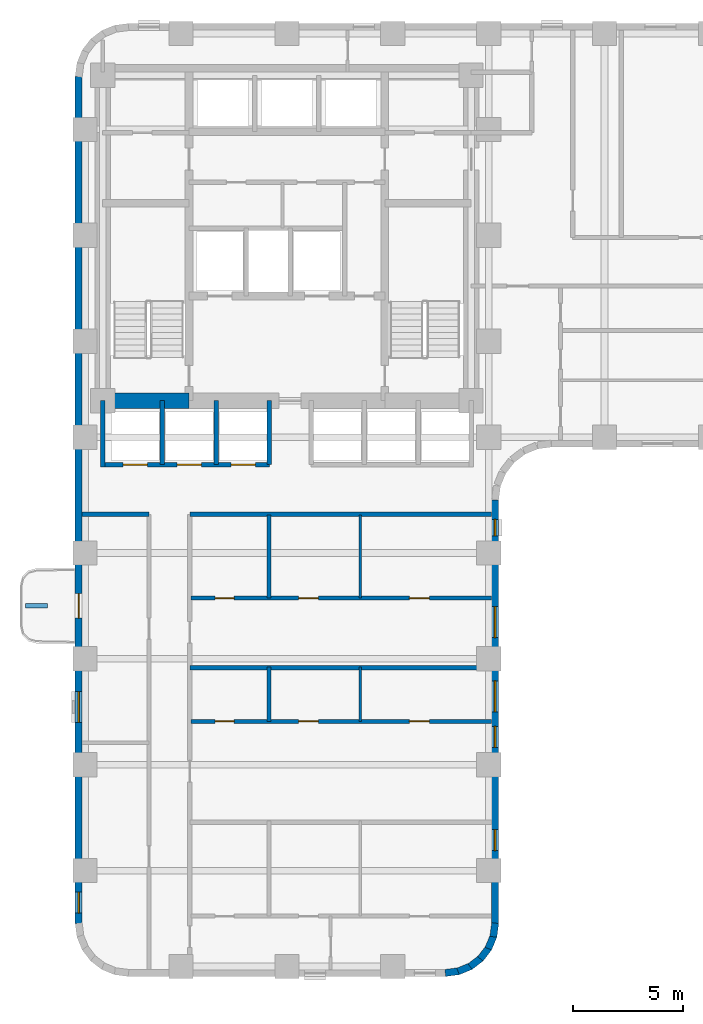
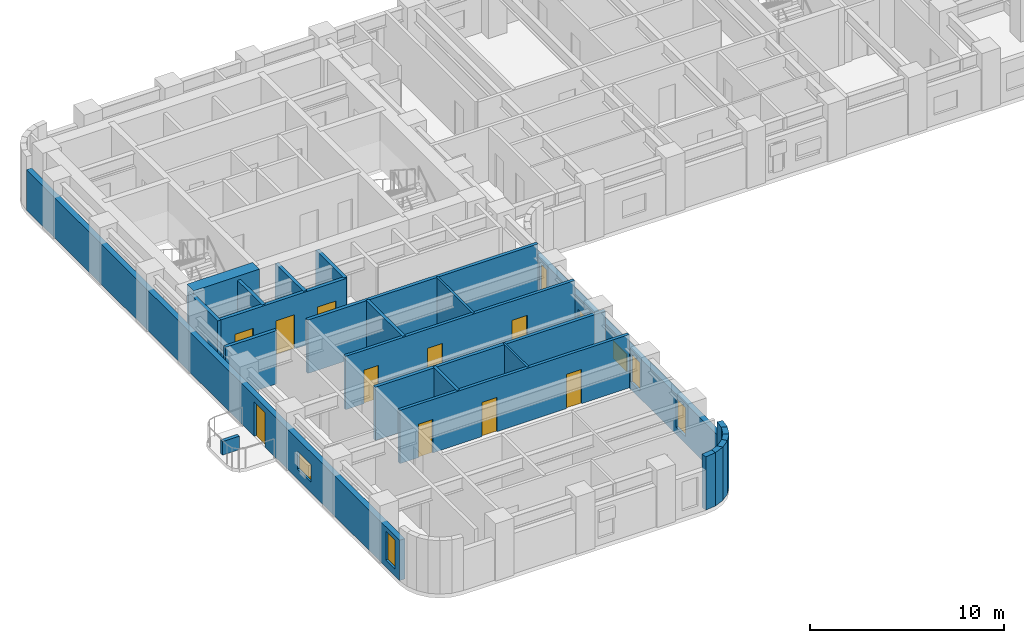
# One storey, part 3 of 10: 24 walls, 10 doors, 7 windows, 17 openings.
"""IFC4 building model written with IfcOpenShell, lengths in metres."""

from ifc_helpers import new_model, si_unit, direction, frame, frame_2d, origin, place, context, subcontext, project, spatial, rectangle, extrude, material, layer, layer_set, type_object, element, fill, save


model = new_model("IFC4")

# Units and contexts
model_context = context("Model", 3, precision=1e-05, world=origin(), true_north=direction((0.0, 1.0)))
body_context = subcontext(model_context, "Body", "Model", "MODEL_VIEW")
ifc_project = project(units=[si_unit("LENGTHUNIT", "METRE"), si_unit("AREAUNIT", "SQUARE_METRE"), si_unit("VOLUMEUNIT", "CUBIC_METRE"), si_unit("PLANEANGLEUNIT", "RADIAN"), si_unit("MASSUNIT", "GRAM", prefix="KILO")], contexts=[model_context])

# Site, building, storey
site_placement = place(None, origin())
site = spatial("IfcSite", under=ifc_project, at=site_placement, CompositionType="ELEMENT")
building_placement = place(site_placement, origin())
building = spatial("IfcBuilding", under=site, at=building_placement, Name="Orvandelia Arch Residences", CompositionType="ELEMENT")
storey_placement = place(building_placement, frame((0.0, 0.0, 68.199951171875)))
storey = spatial("IfcBuildingStorey", under=building, at=storey_placement, Name="L17", CompositionType="ELEMENT", Elevation=68.199951171875)

# Walls
ifc_material_1 = material(Name="Concrete C80/95", Category="concrete")
ifc_layer_1 = layer(ifc_material_1, 0.699951171875, Name="Concrete C80/95", Category="concrete")
ifc_layer_set_1 = layer_set([ifc_layer_1], Name="Concrete C80/95")
wall_type_1 = type_object("IfcWallType", Name="WL-CORE-700", PredefinedType="SHEAR", material=ifc_layer_set_1)
wall_1_placement = place(storey_placement, frame((6.050048828125, 30.89990234375, 0.0), z_axis=(0.0, 0.0, 1.0), x_axis=(1.0, 0.0, 0.0)))
element("IfcWall", 1, at=wall_1_placement, inside=storey, type_object=wall_type_1, Name="Core Shear Wall L17-SW", PredefinedType="SHEAR", context=body_context, shape_type="SweptSolid", body=[
    extrude(rectangle(XDim=3.909912109375, YDim=0.699951171875, at=frame_2d((1.955078125, 0.0))), origin(), (0.0, 0.0, 1.0), 3.60009765625),
])
ifc_material_2 = material(Name="Fire-Rated Corridor Partition")
ifc_layer_2 = layer(ifc_material_2, 0.199951171875, Name="Fire-Rated Corridor Partition")
ifc_layer_set_2 = layer_set([ifc_layer_2], Name="Fire-Rated Corridor Partition")
wall_type_2 = type_object("IfcWallType", Name="WL-CORR-200", PredefinedType="PARTITIONING", material=ifc_layer_set_2)
wall_2_placement = place(storey_placement, frame((5.1201171875, 25.75, 0.0), z_axis=(0.0, 0.0, 1.0), x_axis=(1.0, 0.0, 0.0)))
element("IfcWall", 2, at=wall_2_placement, inside=storey, type_object=wall_type_2, Name="Interior Partition Wall WL-L17-WCLS-W", PredefinedType="PARTITIONING", context=body_context, shape_type="SweptSolid", body=[
    extrude(rectangle(XDim=3.02978515625, YDim=0.199951171875, at=frame_2d((1.514892578125, 0.0))), origin(), (0.0, 0.0, 1.0), 3.35009765625),
])
wall_3_placement = place(storey_placement, frame((10.0, 25.75, 0.0), z_axis=(0.0, 0.0, 1.0), x_axis=(1.0, 0.0, 0.0)))
element("IfcWall", 3, at=wall_3_placement, inside=storey, type_object=wall_type_2, Name="Interior Partition Wall WL-L17-WCLS-E", PredefinedType="PARTITIONING", context=body_context, shape_type="SweptSolid", body=[
    extrude(rectangle(XDim=13.679931640625, YDim=0.199951171875, at=frame_2d((6.83984375, 0.0))), origin(), (0.0, 0.0, 1.0), 3.35009765625),
])
ifc_material_3 = material(Name="Concrete C40/50", Category="concrete")
ifc_layer_3 = layer(ifc_material_3, 0.199951171875, Name="Concrete C40/50", Category="concrete")
ifc_layer_set_3 = layer_set([ifc_layer_3], Name="Concrete C40/50")
wall_type_3 = type_object("IfcWallType", Name="WL-DEM-200", PredefinedType="SOLIDWALL", material=ifc_layer_set_3)
wall_4_placement = place(storey_placement, frame((10.0, 18.800048828125, 0.0), z_axis=(0.0, 0.0, 1.0), x_axis=(1.0, 0.0, 0.0)))
element("IfcWall", 4, at=wall_4_placement, inside=storey, type_object=wall_type_3, Name="Interior Partition Wall WL-L17-DEM-WR-188", PredefinedType="SOLIDWALL", context=body_context, shape_type="SweptSolid", body=[
    extrude(rectangle(XDim=13.679931640625, YDim=0.199951171875, at=frame_2d((6.83984375, 0.0))), origin(), (0.0, 0.0, 1.0), 3.35009765625),
])

# Wall, openings, windows
ifc_material_4 = material(Name="Precast concrete C40/50", Category="concrete")
ifc_layer_4 = layer(ifc_material_4, 0.320068359375, Name="Precast concrete C40/50", Category="concrete")
ifc_layer_set_4 = layer_set([ifc_layer_4], Name="Precast concrete C40/50")
wall_type_4 = type_object("IfcWallType", Name="WL-EXT-STONE-320", PredefinedType="STANDARD", material=ifc_layer_set_4)
wall_5_placement = place(storey_placement, frame((23.840087890625, 26.39990234375, 0.0), z_axis=(0.0, 0.0, 1.0), x_axis=(0.0, -1.0, 0.0)))
wall_5 = element("IfcWall", 5, at=wall_5_placement, inside=storey, type_object=wall_type_4, Name="Coral-Limestone Precast Facade Wall L17-028", PredefinedType="STANDARD", context=body_context, shape_type="SweptSolid", body=[
    extrude(rectangle(XDim=19.199951171875, YDim=0.320068359375, at=frame_2d((9.60009765625, 0.0))), origin(), (0.0, 0.0, 1.0), 2.530029296875),
])
opening_1_placement = place(wall_5_placement, frame((14.93994140625, 0.0, 0.449951171875)))
opening_1 = element("IfcOpeningElement", 6, at=opening_1_placement, cuts=wall_5, Name="Opening W4", PredefinedType="OPENING", context=body_context, shape_type="SweptSolid", body=[
    extrude(rectangle(XDim=0.949951171875, YDim=1.800048828125, at=frame_2d((0.47509765625, 0.89990234375))), frame((0.0, 0.169921875, 0.0), z_axis=(0.0, -1.0, 0.0), x_axis=(1.0, 0.0, 0.0)), (0.0, 0.0, 1.0), 0.340087890625),
])
opening_2_placement = place(wall_5_placement, frame((8.2041015625, 0.0, 0.64990234375)))
opening_2 = element("IfcOpeningElement", 7, at=opening_2_placement, cuts=wall_5, Name="Opening W10", PredefinedType="OPENING", context=body_context, shape_type="SweptSolid", body=[
    extrude(rectangle(XDim=1.39990234375, YDim=1.10009765625, at=frame_2d((0.699951171875, 0.550048828125))), frame((0.0, 0.169921875, 0.0), z_axis=(0.0, -1.0, 0.0), x_axis=(1.0, 0.0, 0.0)), (0.0, 0.0, 1.0), 0.340087890625),
])
opening_3_placement = place(wall_5_placement, frame((0.8798828125, 0.0, 0.449951171875)))
opening_3 = element("IfcOpeningElement", 8, at=opening_3_placement, cuts=wall_5, Name="Opening W11", PredefinedType="OPENING", context=body_context, shape_type="SweptSolid", body=[
    extrude(rectangle(XDim=0.75, YDim=1.800048828125, at=frame_2d((0.375, 0.89990234375))), frame((0.0, 0.169921875, 0.0), z_axis=(0.0, -1.0, 0.0), x_axis=(1.0, 0.0, 0.0)), (0.0, 0.0, 1.0), 0.340087890625),
])
opening_4_placement = place(wall_5_placement, frame((10.259033203125, 0.0, 0.449951171875)))
opening_4 = element("IfcOpeningElement", 9, at=opening_4_placement, cuts=wall_5, Name="Opening W4", PredefinedType="OPENING", context=body_context, shape_type="SweptSolid", body=[
    extrude(rectangle(XDim=0.949951171875, YDim=1.800048828125, at=frame_2d((0.47509765625, 0.89990234375))), frame((0.0, 0.169921875, 0.0), z_axis=(0.0, -1.0, 0.0), x_axis=(1.0, 0.0, 0.0)), (0.0, 0.0, 1.0), 0.340087890625),
])
opening_5_placement = place(wall_5_placement, frame((4.837890625, 0.0, 0.64990234375)))
opening_5 = element("IfcOpeningElement", 10, at=opening_5_placement, cuts=wall_5, Name="Opening W10", PredefinedType="OPENING", context=body_context, shape_type="SweptSolid", body=[
    extrude(rectangle(XDim=1.39990234375, YDim=1.10009765625, at=frame_2d((0.699951171875, 0.550048828125))), frame((0.0, 0.169921875, 0.0), z_axis=(0.0, -1.0, 0.0), x_axis=(1.0, 0.0, 0.0)), (0.0, 0.0, 1.0), 0.340087890625),
])
ifc_material_5 = material(Name="Tempered Low-E Insulated Glazing", Category="glass")
window_type_1 = type_object("IfcWindowType", Name="WIN-BED-0750x1800", PartitioningType="SINGLE_PANEL", PredefinedType="WINDOW", material=ifc_material_5)
window_1_placement = place(opening_3_placement, origin())
window_1 = element("IfcWindow", 11, at=window_1_placement, inside=storey, type_object=window_type_1, Name="Recessed Punched Window L17-021", OverallHeight=1.800048828125, OverallWidth=0.75, PartitioningType="SINGLE_PANEL", PredefinedType="WINDOW", context=body_context, shape_type="SweptSolid", body=[
    extrude(rectangle(XDim=0.75, YDim=1.800048828125, at=frame_2d((0.375, 0.89990234375))), frame((0.0, 0.030029296875, 0.0), z_axis=(0.0, -1.0, 0.0), x_axis=(1.0, 0.0, 0.0)), (0.0, 0.0, 1.0), 0.06005859375),
])
fill(opening_3, window_1)
window_type_2 = type_object("IfcWindowType", Name="WIN-CLR-1400x1100", PartitioningType="SINGLE_PANEL", PredefinedType="WINDOW", material=ifc_material_5)
window_2_placement = place(opening_2_placement, origin())
window_2 = element("IfcWindow", 12, at=window_2_placement, inside=storey, type_object=window_type_2, Name="Recessed Punched Window L17-020", OverallHeight=1.10009765625, OverallWidth=1.39990234375, PartitioningType="SINGLE_PANEL", PredefinedType="WINDOW", context=body_context, shape_type="SweptSolid", body=[
    extrude(rectangle(XDim=1.39990234375, YDim=1.10009765625, at=frame_2d((0.699951171875, 0.550048828125))), frame((0.0, 0.030029296875, 0.0), z_axis=(0.0, -1.0, 0.0), x_axis=(1.0, 0.0, 0.0)), (0.0, 0.0, 1.0), 0.06005859375),
])
fill(opening_2, window_2)
window_3_placement = place(opening_5_placement, origin())
window_3 = element("IfcWindow", 13, at=window_3_placement, inside=storey, type_object=window_type_2, Name="Recessed Punched Window L17-023", OverallHeight=1.10009765625, OverallWidth=1.39990234375, PartitioningType="SINGLE_PANEL", PredefinedType="WINDOW", context=body_context, shape_type="SweptSolid", body=[
    extrude(rectangle(XDim=1.39990234375, YDim=1.10009765625, at=frame_2d((0.699951171875, 0.550048828125))), frame((0.0, 0.030029296875, 0.0), z_axis=(0.0, -1.0, 0.0), x_axis=(1.0, 0.0, 0.0)), (0.0, 0.0, 1.0), 0.06005859375),
])
fill(opening_5, window_3)
window_type_3 = type_object("IfcWindowType", Name="WIN-RES-0950x1800", PartitioningType="SINGLE_PANEL", PredefinedType="WINDOW", material=ifc_material_5)
window_4_placement = place(opening_1_placement, origin())
window_4 = element("IfcWindow", 14, at=window_4_placement, inside=storey, type_object=window_type_3, Name="Recessed Punched Window L17-019", OverallHeight=1.800048828125, OverallWidth=0.949951171875, PartitioningType="SINGLE_PANEL", PredefinedType="WINDOW", context=body_context, shape_type="SweptSolid", body=[
    extrude(rectangle(XDim=0.949951171875, YDim=1.800048828125, at=frame_2d((0.47509765625, 0.89990234375))), frame((0.0, 0.030029296875, 0.0), z_axis=(0.0, -1.0, 0.0), x_axis=(1.0, 0.0, 0.0)), (0.0, 0.0, 1.0), 0.06005859375),
])
fill(opening_1, window_4)
window_5_placement = place(opening_4_placement, origin())
window_5 = element("IfcWindow", 15, at=window_5_placement, inside=storey, type_object=window_type_3, Name="Recessed Punched Window L17-022", OverallHeight=1.800048828125, OverallWidth=0.949951171875, PartitioningType="SINGLE_PANEL", PredefinedType="WINDOW", context=body_context, shape_type="SweptSolid", body=[
    extrude(rectangle(XDim=0.949951171875, YDim=1.800048828125, at=frame_2d((0.47509765625, 0.89990234375))), frame((0.0, 0.030029296875, 0.0), z_axis=(0.0, -1.0, 0.0), x_axis=(1.0, 0.0, 0.0)), (0.0, 0.0, 1.0), 0.06005859375),
])
fill(opening_4, window_5)

# Walls
wall_6_placement = place(storey_placement, frame((23.84130859375, 7.220947265625, 0.0), z_axis=(0.0, 0.0, 1.0), x_axis=(-0.130504898859, -0.991447664465, 0.0)))
element("IfcWall", 16, at=wall_6_placement, inside=storey, type_object=wall_type_4, Name="Coral-Limestone Precast Facade Wall L17-029", PredefinedType="STANDARD", context=body_context, shape_type="SweptSolid", body=[
    extrude(rectangle(XDim=0.626708984375, YDim=0.320068359375, at=frame_2d((0.3134765625, 0.0))), origin(), (0.0, 0.0, 1.0), 3.35009765625),
])
wall_7_placement = place(storey_placement, frame((23.7705078125, 6.639892578125, 0.0), z_axis=(0.0, 0.0, 1.0), x_axis=(-0.382787856107, -0.923836271867, 0.0)))
element("IfcWall", 17, at=wall_7_placement, inside=storey, type_object=wall_type_4, Name="Coral-Limestone Precast Facade Wall L17-030", PredefinedType="STANDARD", context=body_context, shape_type="SweptSolid", body=[
    extrude(rectangle(XDim=0.626220703125, YDim=0.320068359375, at=frame_2d((0.31298828125, 0.0))), origin(), (0.0, 0.0, 1.0), 3.35009765625),
])
wall_8_placement = place(storey_placement, frame((23.551513671875, 6.097412109375, 0.0), z_axis=(0.0, 0.0, 1.0), x_axis=(-0.608693302629, -0.793405610854, 0.0)))
element("IfcWall", 18, at=wall_8_placement, inside=storey, type_object=wall_type_4, Name="Coral-Limestone Precast Facade Wall L17-031", PredefinedType="STANDARD", context=body_context, shape_type="SweptSolid", body=[
    extrude(rectangle(XDim=0.62646484375, YDim=0.320068359375, at=frame_2d((0.313232421875, 0.0))), origin(), (0.0, 0.0, 1.0), 3.35009765625),
])
wall_9_placement = place(storey_placement, frame((23.19970703125, 5.6298828125, 0.0), z_axis=(0.0, 0.0, 1.0), x_axis=(-0.7932174212, -0.608938521285, 0.0)))
element("IfcWall", 19, at=wall_9_placement, inside=storey, type_object=wall_type_4, Name="Coral-Limestone Precast Facade Wall L17-032", PredefinedType="STANDARD", context=body_context, shape_type="SweptSolid", body=[
    extrude(rectangle(XDim=0.626708984375, YDim=0.320068359375, at=frame_2d((0.3134765625, 0.0))), origin(), (0.0, 0.0, 1.0), 3.35009765625),
])
for number, where, z_axis, x_axis, name in (
    (20, (22.73876953125, 5.269287109375, 0.0), (0.0, 0.0, 1.0), (-0.92389335771, -0.382650053678, 0.0), "Coral-Limestone Precast Facade Wall L17-033"),
    (21, (22.2001953125, 5.040283203125, 0.0), (0.0, 0.0, 1.0), (-0.9914410257, -0.130555323746, 0.0), "Coral-Limestone Precast Facade Wall L17-034"),
):
    element("IfcWall", number, at=place(storey_placement, frame(where, z_axis=z_axis, x_axis=x_axis)), inside=storey, type_object=wall_type_4, Name=name, PredefinedType="STANDARD", context=body_context, shape_type="SweptSolid", body=[
        extrude(rectangle(XDim=0.62646484375, YDim=0.320068359375, at=frame_2d((0.313232421875, 0.0))), origin(), (0.0, 0.0, 1.0), 3.35009765625),
    ])

# Wall, openings, door, windows
wall_10_placement = place(storey_placement, frame((4.9599609375, 7.199951171875, 0.0), z_axis=(0.0, 0.0, 1.0), x_axis=(0.0, 1.0, 0.0)))
wall_10 = element("IfcWall", 22, at=wall_10_placement, inside=storey, type_object=wall_type_4, Name="Coral-Limestone Precast Facade Wall L17-042", PredefinedType="STANDARD", context=body_context, shape_type="SweptSolid", body=[
    extrude(rectangle(XDim=38.400146484375, YDim=0.320068359375, at=frame_2d((19.2001953125, 0.0))), origin(), (0.0, 0.0, 1.0), 2.530029296875),
])
opening_6_placement = place(wall_10_placement, frame((13.85009765625, 0.0, 0.0)))
opening_6 = element("IfcOpeningElement", 23, at=opening_6_placement, cuts=wall_10, Name="Opening BD1", PredefinedType="OPENING", context=body_context, shape_type="SweptSolid", body=[
    extrude(rectangle(XDim=1.10009765625, YDim=2.14990234375, at=frame_2d((0.550048828125, 1.074951171875))), frame((0.0, 0.169921875, 0.0), z_axis=(0.0, -1.0, 0.0), x_axis=(1.0, 0.0, 0.0)), (0.0, 0.0, 1.0), 0.340087890625),
])
opening_7_placement = place(wall_10_placement, frame((0.469970703125, 0.0, 0.449951171875)))
opening_7 = element("IfcOpeningElement", 24, at=opening_7_placement, cuts=wall_10, Name="Opening W4", PredefinedType="OPENING", context=body_context, shape_type="SweptSolid", body=[
    extrude(rectangle(XDim=0.949951171875, YDim=1.800048828125, at=frame_2d((0.47509765625, 0.89990234375))), frame((0.0, 0.169921875, 0.0), z_axis=(0.0, -1.0, 0.0), x_axis=(1.0, 0.0, 0.0)), (0.0, 0.0, 1.0), 0.340087890625),
])
opening_8_placement = place(wall_10_placement, frame((9.114990234375, 0.0, 0.64990234375)))
opening_8 = element("IfcOpeningElement", 25, at=opening_8_placement, cuts=wall_10, Name="Opening W10", PredefinedType="OPENING", context=body_context, shape_type="SweptSolid", body=[
    extrude(rectangle(XDim=1.39990234375, YDim=1.10009765625, at=frame_2d((0.699951171875, 0.550048828125))), frame((0.0, 0.169921875, 0.0), z_axis=(0.0, -1.0, 0.0), x_axis=(1.0, 0.0, 0.0)), (0.0, 0.0, 1.0), 0.340087890625),
])
ifc_material_6 = material(Name="Thermally Broken Aluminium Glazed Door", Category="aluminium")
door_type_1 = type_object("IfcDoorType", Name="DR-BAL-GLAZ-1100", OperationType="NOTDEFINED", PredefinedType="DOOR", material=ifc_material_6)
door_1_placement = place(opening_6_placement, origin())
door_1 = element("IfcDoor", 26, at=door_1_placement, inside=storey, type_object=door_type_1, Name="Tree Balcony Glazed Door BAL-L17-W1", OperationType="SINGLE_SWING_RIGHT", OverallHeight=2.14990234375, OverallWidth=1.10009765625, PredefinedType="DOOR", context=body_context, shape_type="SweptSolid", body=[
    extrude(rectangle(XDim=1.10009765625, YDim=2.14990234375, at=frame_2d((0.550048828125, 1.074951171875))), frame((0.0, 0.02490234375, 0.0), z_axis=(0.0, -1.0, 0.0), x_axis=(1.0, 0.0, 0.0)), (0.0, 0.0, 1.0), 0.050048828125),
])
fill(opening_6, door_1)
window_6_placement = place(opening_8_placement, origin())
window_6 = element("IfcWindow", 27, at=window_6_placement, inside=storey, type_object=window_type_2, Name="Recessed Punched Window L17-027", OverallHeight=1.10009765625, OverallWidth=1.39990234375, PartitioningType="SINGLE_PANEL", PredefinedType="WINDOW", context=body_context, shape_type="SweptSolid", body=[
    extrude(rectangle(XDim=1.39990234375, YDim=1.10009765625, at=frame_2d((0.699951171875, 0.550048828125))), frame((0.0, 0.030029296875, 0.0), z_axis=(0.0, -1.0, 0.0), x_axis=(1.0, 0.0, 0.0)), (0.0, 0.0, 1.0), 0.06005859375),
])
fill(opening_8, window_6)
window_7_placement = place(opening_7_placement, origin())
window_7 = element("IfcWindow", 28, at=window_7_placement, inside=storey, type_object=window_type_3, Name="Recessed Punched Window L17-026", OverallHeight=1.800048828125, OverallWidth=0.949951171875, PartitioningType="SINGLE_PANEL", PredefinedType="WINDOW", context=body_context, shape_type="SweptSolid", body=[
    extrude(rectangle(XDim=0.949951171875, YDim=1.800048828125, at=frame_2d((0.47509765625, 0.89990234375))), frame((0.0, 0.030029296875, 0.0), z_axis=(0.0, -1.0, 0.0), x_axis=(1.0, 0.0, 0.0)), (0.0, 0.0, 1.0), 0.06005859375),
])
fill(opening_7, window_7)

# Walls
ifc_material_7 = material(Name="Lightweight Gypsum Stud Partition")
ifc_layer_5 = layer(ifc_material_7, 0.1201171875, Name="Lightweight Gypsum Stud Partition")
ifc_layer_set_5 = layer_set([ifc_layer_5], Name="Lightweight Gypsum Stud Partition")
wall_type_5 = type_object("IfcWallType", Name="WL-PART-120", PredefinedType="PARTITIONING", material=ifc_layer_set_5)
wall_11_placement = place(storey_placement, frame((17.720947265625, 16.362060546875, 0.0), z_axis=(0.0, 0.0, 1.0), x_axis=(0.0, 1.0, 0.0)))
element("IfcWall", 29, at=wall_11_placement, inside=storey, type_object=wall_type_5, Name="Interior Partition Wall WL-L17-U02-V2", PredefinedType="PARTITIONING", context=body_context, shape_type="SweptSolid", body=[
    extrude(rectangle(XDim=2.47802734375, YDim=0.1201171875, at=frame_2d((1.239013671875, 0.0))), origin(), (0.0, 0.0, 1.0), 3.35009765625),
])
wall_12_placement = place(storey_placement, frame((17.720947265625, 21.9541015625, 0.0), z_axis=(0.0, 0.0, 1.0), x_axis=(0.0, 1.0, 0.0)))
element("IfcWall", 30, at=wall_12_placement, inside=storey, type_object=wall_type_5, Name="Interior Partition Wall WL-L17-U03-V2", PredefinedType="PARTITIONING", context=body_context, shape_type="SweptSolid", body=[
    extrude(rectangle(XDim=3.765869140625, YDim=0.1201171875, at=frame_2d((1.8828125, 0.0))), origin(), (0.0, 0.0, 1.0), 3.35009765625),
])
ifc_layer_6 = layer(ifc_material_4, 0.199951171875, Name="Precast concrete C40/50", Category="concrete")
ifc_layer_set_6 = layer_set([ifc_layer_6], Name="Precast concrete C40/50")
wall_type_6 = type_object("IfcWallType", Name="WL-PLANTER-200", PredefinedType="MOVABLE", material=ifc_layer_set_6)
wall_13_placement = place(storey_placement, frame((2.550048828125, 21.60009765625, 0.0), z_axis=(0.0, 0.0, 1.0), x_axis=(1.0, 0.0, 0.0)))
element("IfcWall", 31, at=wall_13_placement, inside=storey, type_object=wall_type_6, Name="Balcony Precast Tree Planter BAL-L17-W1", PredefinedType="MOVABLE", context=body_context, shape_type="SweptSolid", body=[
    extrude(rectangle(XDim=1.0, YDim=0.199951171875, at=frame_2d((0.5, 0.0))), origin(), (0.0, 0.0, 1.0), 0.85009765625),
])

# Wall, openings, doors
ifc_material_8 = material(Name="Fire-Rated Shaft Enclosure Wall")
ifc_layer_7 = layer(ifc_material_8, 0.199951171875, Name="Fire-Rated Shaft Enclosure Wall")
ifc_layer_set_7 = layer_set([ifc_layer_7], Name="Fire-Rated Shaft Enclosure Wall")
wall_type_7 = type_object("IfcWallType", Name="WL-SHAFT-200", PredefinedType="POLYGONAL", material=ifc_layer_set_7)
wall_14_placement = place(storey_placement, frame((6.050048828125, 28.0, 0.0), z_axis=(0.0, 0.0, 1.0), x_axis=(1.0, 0.0, 0.0)))
wall_14 = element("IfcWall", 32, at=wall_14_placement, inside=storey, type_object=wall_type_7, Name="Interior Partition Wall WL-L17-BNKL-S", PredefinedType="POLYGONAL", context=body_context, shape_type="SweptSolid", body=[
    extrude(rectangle(XDim=7.550048828125, YDim=0.199951171875, at=frame_2d((3.77490234375, 0.0))), origin(), (0.0, 0.0, 1.0), 3.35009765625),
])
opening_9_placement = place(wall_14_placement, frame((0.925048828125, 0.0, 0.0)))
opening_9 = element("IfcOpeningElement", 33, at=opening_9_placement, cuts=wall_14, Name="Opening LD", PredefinedType="OPENING", context=body_context, shape_type="SweptSolid", body=[
    extrude(rectangle(XDim=1.10009765625, YDim=2.14990234375, at=frame_2d((0.550048828125, 1.074951171875))), frame((0.0, 0.10986328125, 0.0), z_axis=(0.0, -1.0, 0.0), x_axis=(1.0, 0.0, 0.0)), (0.0, 0.0, 1.0), 0.219970703125),
])
opening_10_placement = place(wall_14_placement, frame((3.375, 0.0, 0.0)))
opening_10 = element("IfcOpeningElement", 34, at=opening_10_placement, cuts=wall_14, Name="Opening LD", PredefinedType="OPENING", context=body_context, shape_type="SweptSolid", body=[
    extrude(rectangle(XDim=1.10009765625, YDim=2.14990234375, at=frame_2d((0.550048828125, 1.074951171875))), frame((0.0, 0.10986328125, 0.0), z_axis=(0.0, -1.0, 0.0), x_axis=(1.0, 0.0, 0.0)), (0.0, 0.0, 1.0), 0.219970703125),
])
opening_11_placement = place(wall_14_placement, frame((5.824951171875, 0.0, 0.0)))
opening_11 = element("IfcOpeningElement", 35, at=opening_11_placement, cuts=wall_14, Name="Opening LD", PredefinedType="OPENING", context=body_context, shape_type="SweptSolid", body=[
    extrude(rectangle(XDim=1.10009765625, YDim=2.14990234375, at=frame_2d((0.550048828125, 1.074951171875))), frame((0.0, 0.10986328125, 0.0), z_axis=(0.0, -1.0, 0.0), x_axis=(1.0, 0.0, 0.0)), (0.0, 0.0, 1.0), 0.219970703125),
])
ifc_material_9 = material(Name="Brushed Stainless Steel Sliding Lift Door", Category="steel")
door_type_2 = type_object("IfcDoorType", Name="DR-LIFT-1100", OperationType="NOTDEFINED", PredefinedType="DOOR", material=ifc_material_9)
door_2_placement = place(opening_9_placement, origin())
door_2 = element("IfcDoor", 36, at=door_2_placement, inside=storey, type_object=door_type_2, Name="Lift Landing Door LD-PL1", OperationType="SLIDING_TO_LEFT", OverallHeight=2.14990234375, OverallWidth=1.10009765625, PredefinedType="DOOR", context=body_context, shape_type="SweptSolid", body=[
    extrude(rectangle(XDim=1.10009765625, YDim=2.14990234375, at=frame_2d((0.550048828125, 1.074951171875))), frame((0.0, 0.02490234375, 0.0), z_axis=(0.0, -1.0, 0.0), x_axis=(1.0, 0.0, 0.0)), (0.0, 0.0, 1.0), 0.050048828125),
])
fill(opening_9, door_2)
door_3_placement = place(opening_10_placement, origin())
door_3 = element("IfcDoor", 37, at=door_3_placement, inside=storey, type_object=door_type_2, Name="Lift Landing Door LD-PL2", OperationType="SLIDING_TO_RIGHT", OverallHeight=2.14990234375, OverallWidth=1.10009765625, PredefinedType="DOOR", context=body_context, shape_type="SweptSolid", body=[
    extrude(rectangle(XDim=1.10009765625, YDim=2.14990234375, at=frame_2d((0.550048828125, 1.074951171875))), frame((0.0, 0.02490234375, 0.0), z_axis=(0.0, -1.0, 0.0), x_axis=(1.0, 0.0, 0.0)), (0.0, 0.0, 1.0), 0.050048828125),
])
fill(opening_10, door_3)
door_4_placement = place(opening_11_placement, origin())
door_4 = element("IfcDoor", 38, at=door_4_placement, inside=storey, type_object=door_type_2, Name="Lift Landing Door LD-PL3", OperationType="SLIDING_TO_LEFT", OverallHeight=2.14990234375, OverallWidth=1.10009765625, PredefinedType="DOOR", context=body_context, shape_type="SweptSolid", body=[
    extrude(rectangle(XDim=1.10009765625, YDim=2.14990234375, at=frame_2d((0.550048828125, 1.074951171875))), frame((0.0, 0.02490234375, 0.0), z_axis=(0.0, -1.0, 0.0), x_axis=(1.0, 0.0, 0.0)), (0.0, 0.0, 1.0), 0.050048828125),
])
fill(opening_11, door_4)

# Walls
wall_15_placement = place(storey_placement, frame((6.050048828125, 27.89990234375, 0.0), z_axis=(0.0, 0.0, 1.0), x_axis=(0.0, 1.0, 0.0)))
element("IfcWall", 39, at=wall_15_placement, inside=storey, type_object=wall_type_7, Name="Interior Partition Wall WL-L17-BNKL-W", PredefinedType="POLYGONAL", context=body_context, shape_type="SweptSolid", body=[
    extrude(rectangle(XDim=3.0, YDim=0.199951171875, at=frame_2d((1.5, 0.0))), origin(), (0.0, 0.0, 1.0), 3.35009765625),
])
for number, where, z_axis, x_axis, name in (
    (40, (13.60009765625, 28.0, 0.0), (0.0, 0.0, 1.0), (0.0, 1.0, 0.0), "Interior Partition Wall WL-L17-BNKL-E"),
    (41, (8.75, 28.0, 0.0), (0.0, 0.0, 1.0), (0.0, 1.0, 0.0), "Interior Partition Wall WL-L17-BNKD-875"),
    (42, (11.199951171875, 28.0, 0.0), (0.0, 0.0, 1.0), (0.0, 1.0, 0.0), "Interior Partition Wall WL-L17-BNKD-1120"),
):
    element("IfcWall", number, at=place(storey_placement, frame(where, z_axis=z_axis, x_axis=x_axis)), inside=storey, type_object=wall_type_7, Name=name, PredefinedType="POLYGONAL", context=body_context, shape_type="SweptSolid", body=[
        extrude(rectangle(XDim=2.89990234375, YDim=0.199951171875, at=frame_2d((1.449951171875, 0.0))), origin(), (0.0, 0.0, 1.0), 3.35009765625),
    ])

# Wall, openings, doors
ifc_material_10 = material(Name="Moisture-Resistant Plumbing Wall")
ifc_layer_8 = layer(ifc_material_10, 0.179931640625, Name="Moisture-Resistant Plumbing Wall")
ifc_layer_set_8 = layer_set([ifc_layer_8], Name="Moisture-Resistant Plumbing Wall")
wall_type_8 = type_object("IfcWallType", Name="WL-WET-180", PredefinedType="PLUMBINGWALL", material=ifc_layer_set_8)
wall_16_placement = place(storey_placement, frame((10.06005859375, 16.362060546875, 0.0), z_axis=(0.0, 0.0, 1.0), x_axis=(1.0, 0.0, 0.0)))
wall_16 = element("IfcWall", 43, at=wall_16_placement, inside=storey, type_object=wall_type_8, Name="Interior Partition Wall WL-L17-U02-HZ", PredefinedType="PLUMBINGWALL", context=body_context, shape_type="SweptSolid", body=[
    extrude(rectangle(XDim=13.619873046875, YDim=0.179931640625, at=frame_2d((6.81005859375, 0.0))), origin(), (0.0, 0.0, 1.0), 3.35009765625),
])
opening_12_placement = place(wall_16_placement, frame((1.0908203125, 0.0, 0.0)))
opening_12 = element("IfcOpeningElement", 44, at=opening_12_placement, cuts=wall_16, Name="Opening D4", PredefinedType="OPENING", context=body_context, shape_type="SweptSolid", body=[
    extrude(rectangle(XDim=0.860107421875, YDim=2.10009765625, at=frame_2d((0.43017578125, 1.050048828125))), frame((0.0, 0.10009765625, 0.0), z_axis=(0.0, -1.0, 0.0), x_axis=(1.0, 0.0, 0.0)), (0.0, 0.0, 1.0), 0.199951171875),
])
opening_13_placement = place(wall_16_placement, frame((4.8681640625, 0.0, 0.0)))
opening_13 = element("IfcOpeningElement", 45, at=opening_13_placement, cuts=wall_16, Name="Opening D3", PredefinedType="OPENING", context=body_context, shape_type="SweptSolid", body=[
    extrude(rectangle(XDim=0.89990234375, YDim=2.14990234375, at=frame_2d((0.449951171875, 1.074951171875))), frame((0.0, 0.10009765625, 0.0), z_axis=(0.0, -1.0, 0.0), x_axis=(1.0, 0.0, 0.0)), (0.0, 0.0, 1.0), 0.199951171875),
])
opening_14_placement = place(wall_16_placement, frame((9.897216796875, 0.0, 0.0)))
opening_14 = element("IfcOpeningElement", 46, at=opening_14_placement, cuts=wall_16, Name="Opening D3", PredefinedType="OPENING", context=body_context, shape_type="SweptSolid", body=[
    extrude(rectangle(XDim=0.89990234375, YDim=2.14990234375, at=frame_2d((0.449951171875, 1.074951171875))), frame((0.0, 0.10009765625, 0.0), z_axis=(0.0, -1.0, 0.0), x_axis=(1.0, 0.0, 0.0)), (0.0, 0.0, 1.0), 0.199951171875),
])
ifc_material_11 = material(Name="Engineered Timber Flush Door", Category="wood")
door_type_3 = type_object("IfcDoorType", Name="DR-INT-900", OperationType="NOTDEFINED", PredefinedType="DOOR", material=ifc_material_11)
door_5_placement = place(opening_13_placement, origin())
door_5 = element("IfcDoor", 47, at=door_5_placement, inside=storey, type_object=door_type_3, Name="DR-L17-U02-KIT", OperationType="SINGLE_SWING_RIGHT", OverallHeight=2.14990234375, OverallWidth=0.89990234375, PredefinedType="DOOR", context=body_context, shape_type="SweptSolid", body=[
    extrude(rectangle(XDim=0.89990234375, YDim=2.14990234375, at=frame_2d((0.449951171875, 1.074951171875))), frame((0.0, 0.02490234375, 0.0), z_axis=(0.0, -1.0, 0.0), x_axis=(1.0, 0.0, 0.0)), (0.0, 0.0, 1.0), 0.050048828125),
])
fill(opening_13, door_5)
door_6_placement = place(opening_14_placement, origin())
door_6 = element("IfcDoor", 48, at=door_6_placement, inside=storey, type_object=door_type_3, Name="DR-L17-U02-BD1", OperationType="SINGLE_SWING_LEFT", OverallHeight=2.14990234375, OverallWidth=0.89990234375, PredefinedType="DOOR", context=body_context, shape_type="SweptSolid", body=[
    extrude(rectangle(XDim=0.89990234375, YDim=2.14990234375, at=frame_2d((0.449951171875, 1.074951171875))), frame((0.0, 0.02490234375, 0.0), z_axis=(0.0, -1.0, 0.0), x_axis=(1.0, 0.0, 0.0)), (0.0, 0.0, 1.0), 0.050048828125),
])
fill(opening_14, door_6)
ifc_material_12 = material(Name="Moisture-Sealed Timber Bathroom Door", Category="wood")
door_type_4 = type_object("IfcDoorType", Name="DR-WET-900", OperationType="NOTDEFINED", PredefinedType="DOOR", material=ifc_material_12)
door_7_placement = place(opening_12_placement, origin())
door_7 = element("IfcDoor", 49, at=door_7_placement, inside=storey, type_object=door_type_4, Name="DR-L17-U02-BTH", OperationType="SINGLE_SWING_LEFT", OverallHeight=2.10009765625, OverallWidth=0.860107421875, PredefinedType="DOOR", context=body_context, shape_type="SweptSolid", body=[
    extrude(rectangle(XDim=0.860107421875, YDim=2.10009765625, at=frame_2d((0.43017578125, 1.050048828125))), frame((0.0, 0.02490234375, 0.0), z_axis=(0.0, -1.0, 0.0), x_axis=(1.0, 0.0, 0.0)), (0.0, 0.0, 1.0), 0.050048828125),
])
fill(opening_12, door_7)

# Wall
wall_17_placement = place(storey_placement, frame((13.583984375, 16.362060546875, 0.0), z_axis=(0.0, 0.0, 1.0), x_axis=(0.0, 1.0, 0.0)))
element("IfcWall", 50, at=wall_17_placement, inside=storey, type_object=wall_type_8, Name="Interior Partition Wall WL-L17-U02-V1", PredefinedType="PLUMBINGWALL", context=body_context, shape_type="SweptSolid", body=[
    extrude(rectangle(XDim=2.47802734375, YDim=0.179931640625, at=frame_2d((1.239013671875, 0.0))), origin(), (0.0, 0.0, 1.0), 3.35009765625),
])

# Wall, openings, doors
wall_18_placement = place(storey_placement, frame((10.06005859375, 21.9541015625, 0.0), z_axis=(0.0, 0.0, 1.0), x_axis=(1.0, 0.0, 0.0)))
wall_18 = element("IfcWall", 51, at=wall_18_placement, inside=storey, type_object=wall_type_8, Name="Interior Partition Wall WL-L17-U03-HZ", PredefinedType="PLUMBINGWALL", context=body_context, shape_type="SweptSolid", body=[
    extrude(rectangle(XDim=13.619873046875, YDim=0.179931640625, at=frame_2d((6.81005859375, 0.0))), origin(), (0.0, 0.0, 1.0), 3.35009765625),
])
opening_15_placement = place(wall_18_placement, frame((1.0908203125, 0.0, 0.0)))
opening_15 = element("IfcOpeningElement", 52, at=opening_15_placement, cuts=wall_18, Name="Opening D4", PredefinedType="OPENING", context=body_context, shape_type="SweptSolid", body=[
    extrude(rectangle(XDim=0.860107421875, YDim=2.10009765625, at=frame_2d((0.43017578125, 1.050048828125))), frame((0.0, 0.10009765625, 0.0), z_axis=(0.0, -1.0, 0.0), x_axis=(1.0, 0.0, 0.0)), (0.0, 0.0, 1.0), 0.199951171875),
])
opening_16_placement = place(wall_18_placement, frame((4.8681640625, 0.0, 0.0)))
opening_16 = element("IfcOpeningElement", 53, at=opening_16_placement, cuts=wall_18, Name="Opening D3", PredefinedType="OPENING", context=body_context, shape_type="SweptSolid", body=[
    extrude(rectangle(XDim=0.89990234375, YDim=2.14990234375, at=frame_2d((0.449951171875, 1.074951171875))), frame((0.0, 0.10009765625, 0.0), z_axis=(0.0, -1.0, 0.0), x_axis=(1.0, 0.0, 0.0)), (0.0, 0.0, 1.0), 0.199951171875),
])
opening_17_placement = place(wall_18_placement, frame((9.897216796875, 0.0, 0.0)))
opening_17 = element("IfcOpeningElement", 54, at=opening_17_placement, cuts=wall_18, Name="Opening D3", PredefinedType="OPENING", context=body_context, shape_type="SweptSolid", body=[
    extrude(rectangle(XDim=0.89990234375, YDim=2.14990234375, at=frame_2d((0.449951171875, 1.074951171875))), frame((0.0, 0.10009765625, 0.0), z_axis=(0.0, -1.0, 0.0), x_axis=(1.0, 0.0, 0.0)), (0.0, 0.0, 1.0), 0.199951171875),
])
door_8_placement = place(opening_16_placement, origin())
door_8 = element("IfcDoor", 55, at=door_8_placement, inside=storey, type_object=door_type_3, Name="DR-L17-U03-KIT", OperationType="SINGLE_SWING_LEFT", OverallHeight=2.14990234375, OverallWidth=0.89990234375, PredefinedType="DOOR", context=body_context, shape_type="SweptSolid", body=[
    extrude(rectangle(XDim=0.89990234375, YDim=2.14990234375, at=frame_2d((0.449951171875, 1.074951171875))), frame((0.0, 0.02490234375, 0.0), z_axis=(0.0, -1.0, 0.0), x_axis=(1.0, 0.0, 0.0)), (0.0, 0.0, 1.0), 0.050048828125),
])
fill(opening_16, door_8)
door_9_placement = place(opening_17_placement, origin())
door_9 = element("IfcDoor", 56, at=door_9_placement, inside=storey, type_object=door_type_3, Name="DR-L17-U03-BD1", OperationType="SINGLE_SWING_RIGHT", OverallHeight=2.14990234375, OverallWidth=0.89990234375, PredefinedType="DOOR", context=body_context, shape_type="SweptSolid", body=[
    extrude(rectangle(XDim=0.89990234375, YDim=2.14990234375, at=frame_2d((0.449951171875, 1.074951171875))), frame((0.0, 0.02490234375, 0.0), z_axis=(0.0, -1.0, 0.0), x_axis=(1.0, 0.0, 0.0)), (0.0, 0.0, 1.0), 0.050048828125),
])
fill(opening_17, door_9)
door_10_placement = place(opening_15_placement, origin())
door_10 = element("IfcDoor", 57, at=door_10_placement, inside=storey, type_object=door_type_4, Name="DR-L17-U03-BTH", OperationType="SINGLE_SWING_RIGHT", OverallHeight=2.10009765625, OverallWidth=0.860107421875, PredefinedType="DOOR", context=body_context, shape_type="SweptSolid", body=[
    extrude(rectangle(XDim=0.860107421875, YDim=2.10009765625, at=frame_2d((0.43017578125, 1.050048828125))), frame((0.0, 0.02490234375, 0.0), z_axis=(0.0, -1.0, 0.0), x_axis=(1.0, 0.0, 0.0)), (0.0, 0.0, 1.0), 0.050048828125),
])
fill(opening_15, door_10)

# Wall
wall_19_placement = place(storey_placement, frame((13.583984375, 21.9541015625, 0.0), z_axis=(0.0, 0.0, 1.0), x_axis=(0.0, 1.0, 0.0)))
element("IfcWall", 58, at=wall_19_placement, inside=storey, type_object=wall_type_8, Name="Interior Partition Wall WL-L17-U03-V1", PredefinedType="PLUMBINGWALL", context=body_context, shape_type="SweptSolid", body=[
    extrude(rectangle(XDim=3.765869140625, YDim=0.179931640625, at=frame_2d((1.8828125, 0.0))), origin(), (0.0, 0.0, 1.0), 3.35009765625),
])

save(model, "model.ifc")
